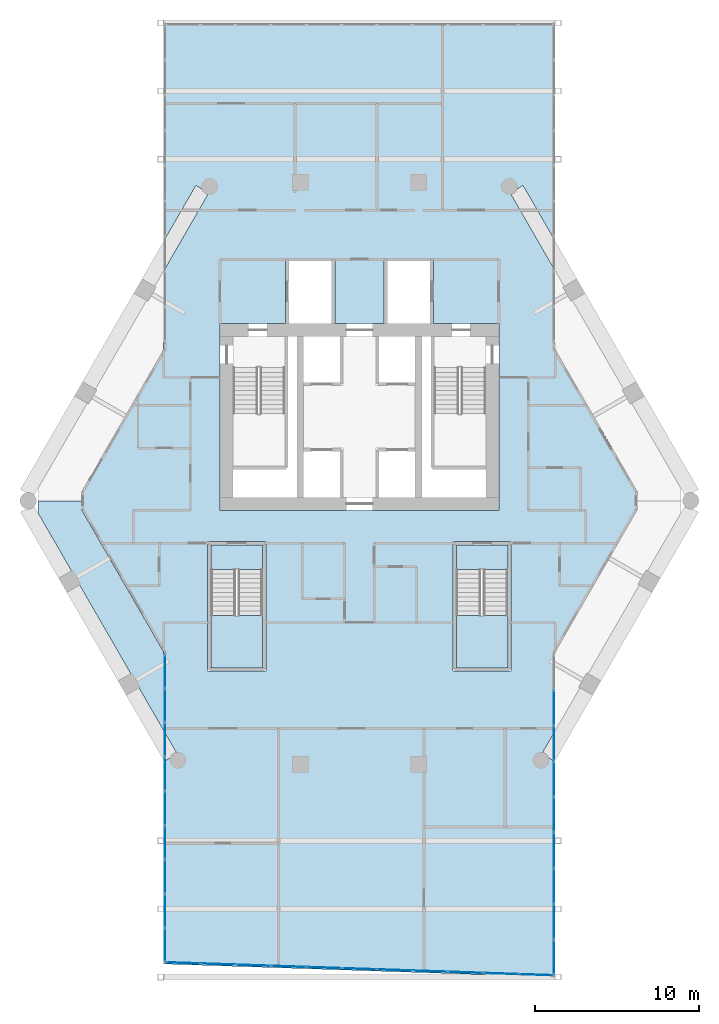
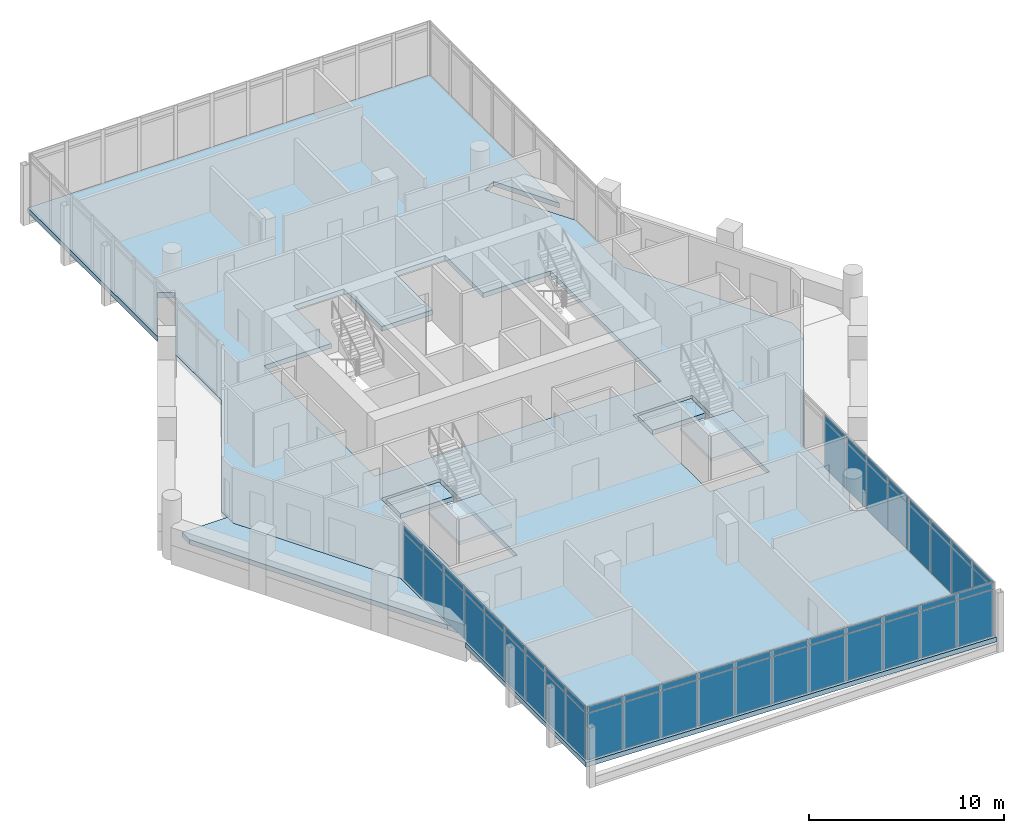
# One storey, part 22 of 29: 56 plates, 6 slabs, 5 elements without a shape of their own.
"""IFC4 building model written with IfcOpenShell, lengths in metres."""

from ifc_helpers import new_model, si_unit, direction, frame, origin, origin_2d, place, context, subcontext, project, spatial, polyline, rectangle, outline, extrude, material, layer, layer_set, type_object, element, aggregate, save


model = new_model("IFC4")

# Units and contexts
model_context = context("Model", 3, precision=1e-05, world=origin(), true_north=direction((0.0, 1.0)))
body_context = subcontext(model_context, "Body", "Model", "MODEL_VIEW")
ifc_project = project(units=[si_unit("LENGTHUNIT", "METRE"), si_unit("AREAUNIT", "SQUARE_METRE"), si_unit("VOLUMEUNIT", "CUBIC_METRE"), si_unit("PLANEANGLEUNIT", "RADIAN"), si_unit("MASSUNIT", "GRAM", prefix="KILO")], contexts=[model_context])

# Site, building, storey
site_placement = place(None, origin())
site = spatial("IfcSite", under=ifc_project, at=site_placement, CompositionType="ELEMENT")
building_placement = place(site_placement, origin())
building = spatial("IfcBuilding", under=site, at=building_placement, Name="Ostrander Bayou Hotel Tower", CompositionType="ELEMENT")
storey_placement = place(building_placement, frame((0.0, 0.0, 202.0)))
storey = spatial("IfcBuildingStorey", under=building, at=storey_placement, Name="L50", CompositionType="ELEMENT", Elevation=202.0)

# Curtain wall, plates
ifc_material_1 = material(Name="Aluminium and clear glass", Category="aluminium")
curtain_wall_type = type_object("IfcCurtainWallType", Name="CW-BAR glazed wall", PredefinedType="NOTDEFINED", material=ifc_material_1)
curtain_wall_1_placement = place(storey_placement, origin())
curtain_wall_1 = element("IfcCurtainWall", 1, at=curtain_wall_1_placement, inside=storey, type_object=curtain_wall_type, Name="CW-BAR L50:SB4S:E", PredefinedType="NOTDEFINED")
ifc_material_2 = material(Name="Clear laminated glass", Category="glass")
ifc_layer_1 = layer(ifc_material_2, 0.028076171875)
ifc_layer_set_1 = layer_set([ifc_layer_1], Name="CW-BR glazing panel 28 mm")
plate_type = type_object("IfcPlateType", Name="CW-BR glazing panel 28 mm", PredefinedType="CURTAIN_PANEL", material=ifc_layer_set_1)
plate_1_placement = place(storey_placement, frame((-11.857177734375, -11.521484375, 0.06005859375), z_axis=(0.0, 0.0, 1.0), x_axis=(0.0, -1.0, 0.0)))
plate_1 = element("IfcPlate", 2, at=plate_1_placement, type_object=plate_type, Name="CW-BAR panel 1.1", PredefinedType="CURTAIN_PANEL", context=body_context, shape_type="SweptSolid", body=[
    extrude(rectangle(XDim=1.997802734375, YDim=0.028076171875, at=origin_2d()), origin(), (0.0, 0.0, 1.0), 2.909912109375),
])
plate_2_placement = place(storey_placement, frame((-11.857177734375, -11.521484375, 3.02978515625), z_axis=(0.0, 0.0, 1.0), x_axis=(0.0, -1.0, 0.0)))
plate_2 = element("IfcPlate", 3, at=plate_2_placement, type_object=plate_type, Name="CW-BAR panel 1.2", PredefinedType="CURTAIN_PANEL", context=body_context, shape_type="SweptSolid", body=[
    extrude(rectangle(XDim=1.997802734375, YDim=0.028076171875, at=origin_2d()), origin(), (0.0, 0.0, 1.0), 0.360107421875),
])
plate_3_placement = place(storey_placement, frame((-11.857177734375, -13.59423828125, 0.06005859375), z_axis=(0.0, 0.0, 1.0), x_axis=(0.0, -1.0, 0.0)))
plate_3 = element("IfcPlate", 4, at=plate_3_placement, type_object=plate_type, Name="CW-BAR panel 2.1", PredefinedType="CURTAIN_PANEL", context=body_context, shape_type="SweptSolid", body=[
    extrude(rectangle(XDim=2.02783203125, YDim=0.028076171875, at=origin_2d()), origin(), (0.0, 0.0, 1.0), 2.909912109375),
])
plate_4_placement = place(storey_placement, frame((-11.857177734375, -13.59423828125, 3.02978515625), z_axis=(0.0, 0.0, 1.0), x_axis=(0.0, -1.0, 0.0)))
plate_4 = element("IfcPlate", 5, at=plate_4_placement, type_object=plate_type, Name="CW-BAR panel 2.2", PredefinedType="CURTAIN_PANEL", context=body_context, shape_type="SweptSolid", body=[
    extrude(rectangle(XDim=2.02783203125, YDim=0.028076171875, at=origin_2d()), origin(), (0.0, 0.0, 1.0), 0.360107421875),
])
plate_5_placement = place(storey_placement, frame((-11.857177734375, -15.68212890625, 0.06005859375), z_axis=(0.0, 0.0, 1.0), x_axis=(0.0, -1.0, 0.0)))
plate_5 = element("IfcPlate", 6, at=plate_5_placement, type_object=plate_type, Name="CW-BAR panel 3.1", PredefinedType="CURTAIN_PANEL", context=body_context, shape_type="SweptSolid", body=[
    extrude(rectangle(XDim=2.02783203125, YDim=0.028076171875, at=origin_2d()), origin(), (0.0, 0.0, 1.0), 2.909912109375),
])
plate_6_placement = place(storey_placement, frame((-11.857177734375, -15.68212890625, 3.02978515625), z_axis=(0.0, 0.0, 1.0), x_axis=(0.0, -1.0, 0.0)))
plate_6 = element("IfcPlate", 7, at=plate_6_placement, type_object=plate_type, Name="CW-BAR panel 3.2", PredefinedType="CURTAIN_PANEL", context=body_context, shape_type="SweptSolid", body=[
    extrude(rectangle(XDim=2.02783203125, YDim=0.028076171875, at=origin_2d()), origin(), (0.0, 0.0, 1.0), 0.360107421875),
])
plate_7_placement = place(storey_placement, frame((-11.857177734375, -17.769775390625, 0.06005859375), z_axis=(0.0, 0.0, 1.0), x_axis=(0.0, -1.0, 0.0)))
plate_7 = element("IfcPlate", 8, at=plate_7_placement, type_object=plate_type, Name="CW-BAR panel 4.1", PredefinedType="CURTAIN_PANEL", context=body_context, shape_type="SweptSolid", body=[
    extrude(rectangle(XDim=2.02783203125, YDim=0.028076171875, at=origin_2d()), origin(), (0.0, 0.0, 1.0), 2.909912109375),
])
plate_8_placement = place(storey_placement, frame((-11.857177734375, -17.769775390625, 3.02978515625), z_axis=(0.0, 0.0, 1.0), x_axis=(0.0, -1.0, 0.0)))
plate_8 = element("IfcPlate", 9, at=plate_8_placement, type_object=plate_type, Name="CW-BAR panel 4.2", PredefinedType="CURTAIN_PANEL", context=body_context, shape_type="SweptSolid", body=[
    extrude(rectangle(XDim=2.02783203125, YDim=0.028076171875, at=origin_2d()), origin(), (0.0, 0.0, 1.0), 0.360107421875),
])
plate_9_placement = place(storey_placement, frame((-11.857177734375, -19.857666015625, 0.06005859375), z_axis=(0.0, 0.0, 1.0), x_axis=(0.0, -1.0, 0.0)))
plate_9 = element("IfcPlate", 10, at=plate_9_placement, type_object=plate_type, Name="CW-BAR panel 5.1", PredefinedType="CURTAIN_PANEL", context=body_context, shape_type="SweptSolid", body=[
    extrude(rectangle(XDim=2.02783203125, YDim=0.028076171875, at=origin_2d()), origin(), (0.0, 0.0, 1.0), 2.909912109375),
])
plate_10_placement = place(storey_placement, frame((-11.857177734375, -19.857666015625, 3.02978515625), z_axis=(0.0, 0.0, 1.0), x_axis=(0.0, -1.0, 0.0)))
plate_10 = element("IfcPlate", 11, at=plate_10_placement, type_object=plate_type, Name="CW-BAR panel 5.2", PredefinedType="CURTAIN_PANEL", context=body_context, shape_type="SweptSolid", body=[
    extrude(rectangle(XDim=2.02783203125, YDim=0.028076171875, at=origin_2d()), origin(), (0.0, 0.0, 1.0), 0.360107421875),
])
plate_11_placement = place(storey_placement, frame((-11.857177734375, -21.9453125, 0.06005859375), z_axis=(0.0, 0.0, 1.0), x_axis=(0.0, -1.0, 0.0)))
plate_11 = element("IfcPlate", 12, at=plate_11_placement, type_object=plate_type, Name="CW-BAR panel 6.1", PredefinedType="CURTAIN_PANEL", context=body_context, shape_type="SweptSolid", body=[
    extrude(rectangle(XDim=2.02783203125, YDim=0.028076171875, at=origin_2d()), origin(), (0.0, 0.0, 1.0), 2.909912109375),
])
plate_12_placement = place(storey_placement, frame((-11.857177734375, -21.9453125, 3.02978515625), z_axis=(0.0, 0.0, 1.0), x_axis=(0.0, -1.0, 0.0)))
plate_12 = element("IfcPlate", 13, at=plate_12_placement, type_object=plate_type, Name="CW-BAR panel 6.2", PredefinedType="CURTAIN_PANEL", context=body_context, shape_type="SweptSolid", body=[
    extrude(rectangle(XDim=2.02783203125, YDim=0.028076171875, at=origin_2d()), origin(), (0.0, 0.0, 1.0), 0.360107421875),
])
plate_13_placement = place(storey_placement, frame((-11.857177734375, -24.033203125, 0.06005859375), z_axis=(0.0, 0.0, 1.0), x_axis=(0.0, -1.0, 0.0)))
plate_13 = element("IfcPlate", 14, at=plate_13_placement, type_object=plate_type, Name="CW-BAR panel 7.1", PredefinedType="CURTAIN_PANEL", context=body_context, shape_type="SweptSolid", body=[
    extrude(rectangle(XDim=2.02783203125, YDim=0.028076171875, at=origin_2d()), origin(), (0.0, 0.0, 1.0), 2.909912109375),
])
plate_14_placement = place(storey_placement, frame((-11.857177734375, -24.033203125, 3.02978515625), z_axis=(0.0, 0.0, 1.0), x_axis=(0.0, -1.0, 0.0)))
plate_14 = element("IfcPlate", 15, at=plate_14_placement, type_object=plate_type, Name="CW-BAR panel 7.2", PredefinedType="CURTAIN_PANEL", context=body_context, shape_type="SweptSolid", body=[
    extrude(rectangle(XDim=2.02783203125, YDim=0.028076171875, at=origin_2d()), origin(), (0.0, 0.0, 1.0), 0.360107421875),
])
plate_15_placement = place(storey_placement, frame((-11.857177734375, -26.120849609375, 0.06005859375), z_axis=(0.0, 0.0, 1.0), x_axis=(0.0, -1.0, 0.0)))
plate_15 = element("IfcPlate", 16, at=plate_15_placement, type_object=plate_type, Name="CW-BAR panel 8.1", PredefinedType="CURTAIN_PANEL", context=body_context, shape_type="SweptSolid", body=[
    extrude(rectangle(XDim=2.02783203125, YDim=0.028076171875, at=origin_2d()), origin(), (0.0, 0.0, 1.0), 2.909912109375),
])
plate_16_placement = place(storey_placement, frame((-11.857177734375, -26.120849609375, 3.02978515625), z_axis=(0.0, 0.0, 1.0), x_axis=(0.0, -1.0, 0.0)))
plate_16 = element("IfcPlate", 17, at=plate_16_placement, type_object=plate_type, Name="CW-BAR panel 8.2", PredefinedType="CURTAIN_PANEL", context=body_context, shape_type="SweptSolid", body=[
    extrude(rectangle(XDim=2.02783203125, YDim=0.028076171875, at=origin_2d()), origin(), (0.0, 0.0, 1.0), 0.360107421875),
])
plate_17_placement = place(storey_placement, frame((-11.857177734375, -28.193603515625, 0.06005859375), z_axis=(0.0, 0.0, 1.0), x_axis=(0.0, -1.0, 0.0)))
plate_17 = element("IfcPlate", 18, at=plate_17_placement, type_object=plate_type, Name="CW-BAR panel 9.1", PredefinedType="CURTAIN_PANEL", context=body_context, shape_type="SweptSolid", body=[
    extrude(rectangle(XDim=1.997802734375, YDim=0.028076171875, at=origin_2d()), origin(), (0.0, 0.0, 1.0), 2.909912109375),
])
plate_18_placement = place(storey_placement, frame((-11.857177734375, -28.193603515625, 3.02978515625), z_axis=(0.0, 0.0, 1.0), x_axis=(0.0, -1.0, 0.0)))
plate_18 = element("IfcPlate", 19, at=plate_18_placement, type_object=plate_type, Name="CW-BAR panel 9.2", PredefinedType="CURTAIN_PANEL", context=body_context, shape_type="SweptSolid", body=[
    extrude(rectangle(XDim=1.997802734375, YDim=0.028076171875, at=origin_2d()), origin(), (0.0, 0.0, 1.0), 0.360107421875),
])
aggregate(curtain_wall_1, [plate_1, plate_2, plate_3, plate_4, plate_5, plate_6, plate_7, plate_8, plate_9, plate_10, plate_11, plate_12, plate_13, plate_14, plate_15, plate_16, plate_17, plate_18])

curtain_wall_2_placement = place(storey_placement, origin())
curtain_wall_2 = element("IfcCurtainWall", 20, at=curtain_wall_2_placement, inside=storey, type_object=curtain_wall_type, Name="CW-BAR L50:SB4S:T", PredefinedType="NOTDEFINED")
plate_19_placement = place(storey_placement, frame((-10.76416015625, -29.2890625, 0.06005859375), z_axis=(0.0, 0.0, 1.0), x_axis=(0.999438546097, -0.03350511268, 0.0)))
plate_19 = element("IfcPlate", 21, at=plate_19_placement, type_object=plate_type, Name="CW-BAR panel 1.1", PredefinedType="CURTAIN_PANEL", context=body_context, shape_type="SweptSolid", body=[
    extrude(rectangle(XDim=2.067138671875, YDim=0.028076171875, at=origin_2d()), origin(), (0.0, 0.0, 1.0), 2.909912109375),
])
plate_20_placement = place(storey_placement, frame((-10.76416015625, -29.2890625, 3.02978515625), z_axis=(0.0, 0.0, 1.0), x_axis=(0.999438546097, -0.03350511268, 0.0)))
plate_20 = element("IfcPlate", 22, at=plate_20_placement, type_object=plate_type, Name="CW-BAR panel 1.2", PredefinedType="CURTAIN_PANEL", context=body_context, shape_type="SweptSolid", body=[
    extrude(rectangle(XDim=2.067138671875, YDim=0.028076171875, at=origin_2d()), origin(), (0.0, 0.0, 1.0), 0.360107421875),
])
plate_21_placement = place(storey_placement, frame((-8.62353515625, -29.36083984375, 0.06005859375), z_axis=(0.0, 0.0, 1.0), x_axis=(0.999438546097, -0.03350511268, 0.0)))
plate_21 = element("IfcPlate", 23, at=plate_21_placement, type_object=plate_type, Name="CW-BAR panel 2.1", PredefinedType="CURTAIN_PANEL", context=body_context, shape_type="SweptSolid", body=[
    extrude(rectangle(XDim=2.09716796875, YDim=0.028076171875, at=origin_2d()), origin(), (0.0, 0.0, 1.0), 2.909912109375),
])
plate_22_placement = place(storey_placement, frame((-8.62353515625, -29.36083984375, 3.02978515625), z_axis=(0.0, 0.0, 1.0), x_axis=(0.999438546097, -0.03350511268, 0.0)))
plate_22 = element("IfcPlate", 24, at=plate_22_placement, type_object=plate_type, Name="CW-BAR panel 2.2", PredefinedType="CURTAIN_PANEL", context=body_context, shape_type="SweptSolid", body=[
    extrude(rectangle(XDim=2.09716796875, YDim=0.028076171875, at=origin_2d()), origin(), (0.0, 0.0, 1.0), 0.360107421875),
])
plate_23_placement = place(storey_placement, frame((-6.467529296875, -29.43310546875, 0.06005859375), z_axis=(0.0, 0.0, 1.0), x_axis=(0.999438546097, -0.03350511268, 0.0)))
plate_23 = element("IfcPlate", 25, at=plate_23_placement, type_object=plate_type, Name="CW-BAR panel 3.1", PredefinedType="CURTAIN_PANEL", context=body_context, shape_type="SweptSolid", body=[
    extrude(rectangle(XDim=2.09716796875, YDim=0.028076171875, at=origin_2d()), origin(), (0.0, 0.0, 1.0), 2.909912109375),
])
plate_24_placement = place(storey_placement, frame((-6.467529296875, -29.43310546875, 3.02978515625), z_axis=(0.0, 0.0, 1.0), x_axis=(0.999438546097, -0.03350511268, 0.0)))
plate_24 = element("IfcPlate", 26, at=plate_24_placement, type_object=plate_type, Name="CW-BAR panel 3.2", PredefinedType="CURTAIN_PANEL", context=body_context, shape_type="SweptSolid", body=[
    extrude(rectangle(XDim=2.09716796875, YDim=0.028076171875, at=origin_2d()), origin(), (0.0, 0.0, 1.0), 0.360107421875),
])
plate_25_placement = place(storey_placement, frame((-4.311767578125, -29.50537109375, 0.06005859375), z_axis=(0.0, 0.0, 1.0), x_axis=(0.999438546097, -0.03350511268, 0.0)))
plate_25 = element("IfcPlate", 27, at=plate_25_placement, type_object=plate_type, Name="CW-BAR panel 4.1", PredefinedType="CURTAIN_PANEL", context=body_context, shape_type="SweptSolid", body=[
    extrude(rectangle(XDim=2.09716796875, YDim=0.028076171875, at=origin_2d()), origin(), (0.0, 0.0, 1.0), 2.909912109375),
])
plate_26_placement = place(storey_placement, frame((-4.311767578125, -29.50537109375, 3.02978515625), z_axis=(0.0, 0.0, 1.0), x_axis=(0.999438546097, -0.03350511268, 0.0)))
plate_26 = element("IfcPlate", 28, at=plate_26_placement, type_object=plate_type, Name="CW-BAR panel 4.2", PredefinedType="CURTAIN_PANEL", context=body_context, shape_type="SweptSolid", body=[
    extrude(rectangle(XDim=2.09716796875, YDim=0.028076171875, at=origin_2d()), origin(), (0.0, 0.0, 1.0), 0.360107421875),
])
plate_27_placement = place(storey_placement, frame((-2.15576171875, -29.57763671875, 0.06005859375), z_axis=(0.0, 0.0, 1.0), x_axis=(0.999438546097, -0.03350511268, 0.0)))
plate_27 = element("IfcPlate", 29, at=plate_27_placement, type_object=plate_type, Name="CW-BAR panel 5.1", PredefinedType="CURTAIN_PANEL", context=body_context, shape_type="SweptSolid", body=[
    extrude(rectangle(XDim=2.09716796875, YDim=0.028076171875, at=origin_2d()), origin(), (0.0, 0.0, 1.0), 2.909912109375),
])
plate_28_placement = place(storey_placement, frame((-2.15576171875, -29.57763671875, 3.02978515625), z_axis=(0.0, 0.0, 1.0), x_axis=(0.999438546097, -0.03350511268, 0.0)))
plate_28 = element("IfcPlate", 30, at=plate_28_placement, type_object=plate_type, Name="CW-BAR panel 5.2", PredefinedType="CURTAIN_PANEL", context=body_context, shape_type="SweptSolid", body=[
    extrude(rectangle(XDim=2.09716796875, YDim=0.028076171875, at=origin_2d()), origin(), (0.0, 0.0, 1.0), 0.360107421875),
])
plate_29_placement = place(storey_placement, frame((0.0, -29.64990234375, 0.06005859375), z_axis=(0.0, 0.0, 1.0), x_axis=(0.999438546097, -0.03350511268, 0.0)))
plate_29 = element("IfcPlate", 31, at=plate_29_placement, type_object=plate_type, Name="CW-BAR panel 6.1", PredefinedType="CURTAIN_PANEL", context=body_context, shape_type="SweptSolid", body=[
    extrude(rectangle(XDim=2.09716796875, YDim=0.028076171875, at=origin_2d()), origin(), (0.0, 0.0, 1.0), 2.909912109375),
])
plate_30_placement = place(storey_placement, frame((0.0, -29.64990234375, 3.02978515625), z_axis=(0.0, 0.0, 1.0), x_axis=(0.999438546097, -0.03350511268, 0.0)))
plate_30 = element("IfcPlate", 32, at=plate_30_placement, type_object=plate_type, Name="CW-BAR panel 6.2", PredefinedType="CURTAIN_PANEL", context=body_context, shape_type="SweptSolid", body=[
    extrude(rectangle(XDim=2.09716796875, YDim=0.028076171875, at=origin_2d()), origin(), (0.0, 0.0, 1.0), 0.360107421875),
])
plate_31_placement = place(storey_placement, frame((2.15576171875, -29.72216796875, 0.06005859375), z_axis=(0.0, 0.0, 1.0), x_axis=(0.999438546097, -0.03350511268, 0.0)))
plate_31 = element("IfcPlate", 33, at=plate_31_placement, type_object=plate_type, Name="CW-BAR panel 7.1", PredefinedType="CURTAIN_PANEL", context=body_context, shape_type="SweptSolid", body=[
    extrude(rectangle(XDim=2.09716796875, YDim=0.028076171875, at=origin_2d()), origin(), (0.0, 0.0, 1.0), 2.909912109375),
])
plate_32_placement = place(storey_placement, frame((2.15576171875, -29.72216796875, 3.02978515625), z_axis=(0.0, 0.0, 1.0), x_axis=(0.999438546097, -0.03350511268, 0.0)))
plate_32 = element("IfcPlate", 34, at=plate_32_placement, type_object=plate_type, Name="CW-BAR panel 7.2", PredefinedType="CURTAIN_PANEL", context=body_context, shape_type="SweptSolid", body=[
    extrude(rectangle(XDim=2.09716796875, YDim=0.028076171875, at=origin_2d()), origin(), (0.0, 0.0, 1.0), 0.360107421875),
])
plate_33_placement = place(storey_placement, frame((4.311767578125, -29.79443359375, 0.06005859375), z_axis=(0.0, 0.0, 1.0), x_axis=(0.999438546097, -0.03350511268, 0.0)))
plate_33 = element("IfcPlate", 35, at=plate_33_placement, type_object=plate_type, Name="CW-BAR panel 8.1", PredefinedType="CURTAIN_PANEL", context=body_context, shape_type="SweptSolid", body=[
    extrude(rectangle(XDim=2.09716796875, YDim=0.028076171875, at=origin_2d()), origin(), (0.0, 0.0, 1.0), 2.909912109375),
])
plate_34_placement = place(storey_placement, frame((4.311767578125, -29.79443359375, 3.02978515625), z_axis=(0.0, 0.0, 1.0), x_axis=(0.999438546097, -0.03350511268, 0.0)))
plate_34 = element("IfcPlate", 36, at=plate_34_placement, type_object=plate_type, Name="CW-BAR panel 8.2", PredefinedType="CURTAIN_PANEL", context=body_context, shape_type="SweptSolid", body=[
    extrude(rectangle(XDim=2.09716796875, YDim=0.028076171875, at=origin_2d()), origin(), (0.0, 0.0, 1.0), 0.360107421875),
])
plate_35_placement = place(storey_placement, frame((6.467529296875, -29.86669921875, 0.06005859375), z_axis=(0.0, 0.0, 1.0), x_axis=(0.999438546097, -0.03350511268, 0.0)))
plate_35 = element("IfcPlate", 37, at=plate_35_placement, type_object=plate_type, Name="CW-BAR panel 9.1", PredefinedType="CURTAIN_PANEL", context=body_context, shape_type="SweptSolid", body=[
    extrude(rectangle(XDim=2.09716796875, YDim=0.028076171875, at=origin_2d()), origin(), (0.0, 0.0, 1.0), 2.909912109375),
])
plate_36_placement = place(storey_placement, frame((6.467529296875, -29.86669921875, 3.02978515625), z_axis=(0.0, 0.0, 1.0), x_axis=(0.999438546097, -0.03350511268, 0.0)))
plate_36 = element("IfcPlate", 38, at=plate_36_placement, type_object=plate_type, Name="CW-BAR panel 9.2", PredefinedType="CURTAIN_PANEL", context=body_context, shape_type="SweptSolid", body=[
    extrude(rectangle(XDim=2.09716796875, YDim=0.028076171875, at=origin_2d()), origin(), (0.0, 0.0, 1.0), 0.360107421875),
])
plate_37_placement = place(storey_placement, frame((8.62353515625, -29.939208984375, 0.06005859375), z_axis=(0.0, 0.0, 1.0), x_axis=(0.999438546097, -0.03350511268, 0.0)))
plate_37 = element("IfcPlate", 39, at=plate_37_placement, type_object=plate_type, Name="CW-BAR panel 10.1", PredefinedType="CURTAIN_PANEL", context=body_context, shape_type="SweptSolid", body=[
    extrude(rectangle(XDim=2.09716796875, YDim=0.028076171875, at=origin_2d()), origin(), (0.0, 0.0, 1.0), 2.909912109375),
])
plate_38_placement = place(storey_placement, frame((8.62353515625, -29.939208984375, 3.02978515625), z_axis=(0.0, 0.0, 1.0), x_axis=(0.999438546097, -0.03350511268, 0.0)))
plate_38 = element("IfcPlate", 40, at=plate_38_placement, type_object=plate_type, Name="CW-BAR panel 10.2", PredefinedType="CURTAIN_PANEL", context=body_context, shape_type="SweptSolid", body=[
    extrude(rectangle(XDim=2.09716796875, YDim=0.028076171875, at=origin_2d()), origin(), (0.0, 0.0, 1.0), 0.360107421875),
])
plate_39_placement = place(storey_placement, frame((10.76416015625, -30.0107421875, 0.06005859375), z_axis=(0.0, 0.0, 1.0), x_axis=(0.999438546097, -0.03350511268, 0.0)))
plate_39 = element("IfcPlate", 41, at=plate_39_placement, type_object=plate_type, Name="CW-BAR panel 11.1", PredefinedType="CURTAIN_PANEL", context=body_context, shape_type="SweptSolid", body=[
    extrude(rectangle(XDim=2.067138671875, YDim=0.028076171875, at=origin_2d()), origin(), (0.0, 0.0, 1.0), 2.909912109375),
])
plate_40_placement = place(storey_placement, frame((10.76416015625, -30.0107421875, 3.02978515625), z_axis=(0.0, 0.0, 1.0), x_axis=(0.999438546097, -0.03350511268, 0.0)))
plate_40 = element("IfcPlate", 42, at=plate_40_placement, type_object=plate_type, Name="CW-BAR panel 11.2", PredefinedType="CURTAIN_PANEL", context=body_context, shape_type="SweptSolid", body=[
    extrude(rectangle(XDim=2.067138671875, YDim=0.028076171875, at=origin_2d()), origin(), (0.0, 0.0, 1.0), 0.360107421875),
])
aggregate(curtain_wall_2, [plate_19, plate_20, plate_21, plate_22, plate_23, plate_24, plate_25, plate_26, plate_27, plate_28, plate_29, plate_30, plate_31, plate_32, plate_33, plate_34, plate_35, plate_36, plate_37, plate_38, plate_39, plate_40])

curtain_wall_3_placement = place(storey_placement, origin())
curtain_wall_3 = element("IfcCurtainWall", 43, at=curtain_wall_3_placement, inside=storey, type_object=curtain_wall_type, Name="CW-BAR L50:SB4S:W", PredefinedType="NOTDEFINED")
plate_41_placement = place(storey_placement, frame((11.857177734375, -13.726806640625, 0.06005859375), z_axis=(0.0, 0.0, 1.0), x_axis=(0.0, -1.0, 0.0)))
plate_41 = element("IfcPlate", 44, at=plate_41_placement, type_object=plate_type, Name="CW-BAR panel 2.1", PredefinedType="CURTAIN_PANEL", context=body_context, shape_type="SweptSolid", body=[
    extrude(rectangle(XDim=2.1162109375, YDim=0.028076171875, at=origin_2d()), origin(), (0.0, 0.0, 1.0), 2.909912109375),
])
plate_42_placement = place(storey_placement, frame((11.857177734375, -13.726806640625, 3.02978515625), z_axis=(0.0, 0.0, 1.0), x_axis=(0.0, -1.0, 0.0)))
plate_42 = element("IfcPlate", 45, at=plate_42_placement, type_object=plate_type, Name="CW-BAR panel 2.2", PredefinedType="CURTAIN_PANEL", context=body_context, shape_type="SweptSolid", body=[
    extrude(rectangle(XDim=2.1162109375, YDim=0.028076171875, at=origin_2d()), origin(), (0.0, 0.0, 1.0), 0.360107421875),
])
plate_43_placement = place(storey_placement, frame((11.857177734375, -15.90283203125, 0.06005859375), z_axis=(0.0, 0.0, 1.0), x_axis=(0.0, -1.0, 0.0)))
plate_43 = element("IfcPlate", 46, at=plate_43_placement, type_object=plate_type, Name="CW-BAR panel 3.1", PredefinedType="CURTAIN_PANEL", context=body_context, shape_type="SweptSolid", body=[
    extrude(rectangle(XDim=2.1162109375, YDim=0.028076171875, at=origin_2d()), origin(), (0.0, 0.0, 1.0), 2.909912109375),
])
plate_44_placement = place(storey_placement, frame((11.857177734375, -15.90283203125, 3.02978515625), z_axis=(0.0, 0.0, 1.0), x_axis=(0.0, -1.0, 0.0)))
plate_44 = element("IfcPlate", 47, at=plate_44_placement, type_object=plate_type, Name="CW-BAR panel 3.2", PredefinedType="CURTAIN_PANEL", context=body_context, shape_type="SweptSolid", body=[
    extrude(rectangle(XDim=2.1162109375, YDim=0.028076171875, at=origin_2d()), origin(), (0.0, 0.0, 1.0), 0.360107421875),
])
plate_45_placement = place(storey_placement, frame((11.857177734375, -18.0791015625, 0.06005859375), z_axis=(0.0, 0.0, 1.0), x_axis=(0.0, -1.0, 0.0)))
plate_45 = element("IfcPlate", 48, at=plate_45_placement, type_object=plate_type, Name="CW-BAR panel 4.1", PredefinedType="CURTAIN_PANEL", context=body_context, shape_type="SweptSolid", body=[
    extrude(rectangle(XDim=2.1162109375, YDim=0.028076171875, at=origin_2d()), origin(), (0.0, 0.0, 1.0), 2.909912109375),
])
plate_46_placement = place(storey_placement, frame((11.857177734375, -18.0791015625, 3.02978515625), z_axis=(0.0, 0.0, 1.0), x_axis=(0.0, -1.0, 0.0)))
plate_46 = element("IfcPlate", 49, at=plate_46_placement, type_object=plate_type, Name="CW-BAR panel 4.2", PredefinedType="CURTAIN_PANEL", context=body_context, shape_type="SweptSolid", body=[
    extrude(rectangle(XDim=2.1162109375, YDim=0.028076171875, at=origin_2d()), origin(), (0.0, 0.0, 1.0), 0.360107421875),
])
plate_47_placement = place(storey_placement, frame((11.857177734375, -20.255126953125, 0.06005859375), z_axis=(0.0, 0.0, 1.0), x_axis=(0.0, -1.0, 0.0)))
plate_47 = element("IfcPlate", 50, at=plate_47_placement, type_object=plate_type, Name="CW-BAR panel 5.1", PredefinedType="CURTAIN_PANEL", context=body_context, shape_type="SweptSolid", body=[
    extrude(rectangle(XDim=2.1162109375, YDim=0.028076171875, at=origin_2d()), origin(), (0.0, 0.0, 1.0), 2.909912109375),
])
plate_48_placement = place(storey_placement, frame((11.857177734375, -20.255126953125, 3.02978515625), z_axis=(0.0, 0.0, 1.0), x_axis=(0.0, -1.0, 0.0)))
plate_48 = element("IfcPlate", 51, at=plate_48_placement, type_object=plate_type, Name="CW-BAR panel 5.2", PredefinedType="CURTAIN_PANEL", context=body_context, shape_type="SweptSolid", body=[
    extrude(rectangle(XDim=2.1162109375, YDim=0.028076171875, at=origin_2d()), origin(), (0.0, 0.0, 1.0), 0.360107421875),
])
plate_49_placement = place(storey_placement, frame((11.857177734375, -22.43115234375, 0.06005859375), z_axis=(0.0, 0.0, 1.0), x_axis=(0.0, -1.0, 0.0)))
plate_49 = element("IfcPlate", 52, at=plate_49_placement, type_object=plate_type, Name="CW-BAR panel 6.1", PredefinedType="CURTAIN_PANEL", context=body_context, shape_type="SweptSolid", body=[
    extrude(rectangle(XDim=2.1162109375, YDim=0.028076171875, at=origin_2d()), origin(), (0.0, 0.0, 1.0), 2.909912109375),
])
plate_50_placement = place(storey_placement, frame((11.857177734375, -22.43115234375, 3.02978515625), z_axis=(0.0, 0.0, 1.0), x_axis=(0.0, -1.0, 0.0)))
plate_50 = element("IfcPlate", 53, at=plate_50_placement, type_object=plate_type, Name="CW-BAR panel 6.2", PredefinedType="CURTAIN_PANEL", context=body_context, shape_type="SweptSolid", body=[
    extrude(rectangle(XDim=2.1162109375, YDim=0.028076171875, at=origin_2d()), origin(), (0.0, 0.0, 1.0), 0.360107421875),
])
plate_51_placement = place(storey_placement, frame((11.857177734375, -24.607177734375, 0.06005859375), z_axis=(0.0, 0.0, 1.0), x_axis=(0.0, -1.0, 0.0)))
plate_51 = element("IfcPlate", 54, at=plate_51_placement, type_object=plate_type, Name="CW-BAR panel 7.1", PredefinedType="CURTAIN_PANEL", context=body_context, shape_type="SweptSolid", body=[
    extrude(rectangle(XDim=2.1162109375, YDim=0.028076171875, at=origin_2d()), origin(), (0.0, 0.0, 1.0), 2.909912109375),
])
plate_52_placement = place(storey_placement, frame((11.857177734375, -24.607177734375, 3.02978515625), z_axis=(0.0, 0.0, 1.0), x_axis=(0.0, -1.0, 0.0)))
plate_52 = element("IfcPlate", 55, at=plate_52_placement, type_object=plate_type, Name="CW-BAR panel 7.2", PredefinedType="CURTAIN_PANEL", context=body_context, shape_type="SweptSolid", body=[
    extrude(rectangle(XDim=2.1162109375, YDim=0.028076171875, at=origin_2d()), origin(), (0.0, 0.0, 1.0), 0.360107421875),
])
plate_53_placement = place(storey_placement, frame((11.857177734375, -26.783447265625, 0.06005859375), z_axis=(0.0, 0.0, 1.0), x_axis=(0.0, -1.0, 0.0)))
plate_53 = element("IfcPlate", 56, at=plate_53_placement, type_object=plate_type, Name="CW-BAR panel 8.1", PredefinedType="CURTAIN_PANEL", context=body_context, shape_type="SweptSolid", body=[
    extrude(rectangle(XDim=2.1162109375, YDim=0.028076171875, at=origin_2d()), origin(), (0.0, 0.0, 1.0), 2.909912109375),
])
plate_54_placement = place(storey_placement, frame((11.857177734375, -26.783447265625, 3.02978515625), z_axis=(0.0, 0.0, 1.0), x_axis=(0.0, -1.0, 0.0)))
plate_54 = element("IfcPlate", 57, at=plate_54_placement, type_object=plate_type, Name="CW-BAR panel 8.2", PredefinedType="CURTAIN_PANEL", context=body_context, shape_type="SweptSolid", body=[
    extrude(rectangle(XDim=2.1162109375, YDim=0.028076171875, at=origin_2d()), origin(), (0.0, 0.0, 1.0), 0.360107421875),
])
plate_55_placement = place(storey_placement, frame((11.857177734375, -28.9443359375, 0.06005859375), z_axis=(0.0, 0.0, 1.0), x_axis=(0.0, -1.0, 0.0)))
plate_55 = element("IfcPlate", 58, at=plate_55_placement, type_object=plate_type, Name="CW-BAR panel 9.1", PredefinedType="CURTAIN_PANEL", context=body_context, shape_type="SweptSolid", body=[
    extrude(rectangle(XDim=2.086181640625, YDim=0.028076171875, at=origin_2d()), origin(), (0.0, 0.0, 1.0), 2.909912109375),
])
plate_56_placement = place(storey_placement, frame((11.857177734375, -28.9443359375, 3.02978515625), z_axis=(0.0, 0.0, 1.0), x_axis=(0.0, -1.0, 0.0)))
plate_56 = element("IfcPlate", 59, at=plate_56_placement, type_object=plate_type, Name="CW-BAR panel 9.2", PredefinedType="CURTAIN_PANEL", context=body_context, shape_type="SweptSolid", body=[
    extrude(rectangle(XDim=2.086181640625, YDim=0.028076171875, at=origin_2d()), origin(), (0.0, 0.0, 1.0), 0.360107421875),
])
aggregate(curtain_wall_3, [plate_41, plate_42, plate_43, plate_44, plate_45, plate_46, plate_47, plate_48, plate_49, plate_50, plate_51, plate_52, plate_53, plate_54, plate_55, plate_56])

# Slabs
ifc_material_3 = material(Name="Concrete f'c 40 MPa", Category="concrete")
ifc_layer_2 = layer(ifc_material_3, 0.300048828125)
ifc_layer_set_2 = layer_set([ifc_layer_2], Name="SL1 floor slab 300 mm f'c 40 MPa")
slab_type_1 = type_object("IfcSlabType", Name="SL1 floor slab 300 mm f'c 40 MPa", PredefinedType="FLOOR", material=ifc_layer_set_2)
slab_1_placement = place(storey_placement, frame((0.0, 0.0, -0.300048828125)))
element("IfcSlab", 60, at=slab_1_placement, inside=storey, type_object=slab_type_1, Name="SL1 L50 1", PredefinedType="FLOOR", context=body_context, shape_type="SweptSolid", body=[
    extrude(outline(polyline([(-11.897705078125, -16.992431640625), (-11.118408203125, -16.54248046875), (-11.93212890625, -15.1328125), (-11.93212890625, -10.332763671875), (-16.908935546875, -1.712890625), (-16.908935546875, -0.5126953125), (-11.93212890625, 8.107177734375), (-11.93212890625, 12.9072265625), (-9.19091796875, 17.6552734375), (-9.97021484375, 18.105224609375), (-11.93212890625, 14.707275390625), (-11.93212890625, 28.01611328125), (11.93212890625, 28.01611328125), (11.93212890625, 14.707275390625), (9.97021484375, 18.105224609375), (9.19091796875, 17.6552734375), (11.93212890625, 12.9072265625), (11.93212890625, 8.107177734375), (16.908935546875, -0.5126953125), (16.908935546875, -1.712890625), (11.93212890625, -10.332763671875), (11.93212890625, -15.1328125), (11.118408203125, -16.54248046875), (11.897705078125, -16.992431640625), (11.93212890625, -16.932861328125), (11.93212890625, -30.14990234375), (-11.93212890625, -29.35009765625), (-11.93212890625, -16.932861328125), (-11.897705078125, -16.992431640625)]), holes=[polyline([(9.25, -3.60009765625), (5.699951171875, -3.60009765625), (5.699951171875, -11.5), (9.25, -11.5), (9.25, -3.60009765625)]), polyline([(-8.5, -1.699951171875), (8.5, -1.699951171875), (8.5, 9.699951171875), (4.5, 9.699951171875), (4.5, 13.60009765625), (1.5, 13.60009765625), (1.5, 9.699951171875), (-1.5, 9.699951171875), (-1.5, 13.60009765625), (-4.5, 13.60009765625), (-4.5, 9.699951171875), (-8.5, 9.699951171875), (-8.5, -1.699951171875)]), polyline([(-5.699951171875, -3.60009765625), (-9.25, -3.60009765625), (-9.25, -11.5), (-5.699951171875, -11.5), (-5.699951171875, -3.60009765625)])]), origin(), (0.0, 0.0, 1.0), 0.300048828125),
])
slab_2_placement = place(storey_placement, frame((0.0, 0.0, -0.300048828125)))
element("IfcSlab", 61, at=slab_2_placement, inside=storey, type_object=slab_type_1, Name="cslab:L50:004", PredefinedType="FLOOR", context=body_context, shape_type="SweptSolid", body=[
    extrude(outline(polyline([(9.050048828125, -5.300048828125), (9.050048828125, -3.800048828125), (5.89990234375, -3.800048828125), (5.89990234375, -5.300048828125), (9.050048828125, -5.300048828125)])), origin(), (0.0, 0.0, 1.0), 0.300048828125),
])
slab_3_placement = place(storey_placement, frame((0.0, 0.0, -0.300048828125)))
element("IfcSlab", 62, at=slab_3_placement, inside=storey, type_object=slab_type_1, Name="cslab:L50:005", PredefinedType="FLOOR", context=body_context, shape_type="SweptSolid", body=[
    extrude(outline(polyline([(-5.89990234375, -5.300048828125), (-5.89990234375, -3.800048828125), (-9.050048828125, -3.800048828125), (-9.050048828125, -5.300048828125), (-5.89990234375, -5.300048828125)])), origin(), (0.0, 0.0, 1.0), 0.300048828125),
])
ifc_material_4 = material(Name="Concrete f'c 40 MPa", Category="concrete")
ifc_layer_3 = layer(ifc_material_4, 0.300048828125)
ifc_layer_set_3 = layer_set([ifc_layer_3], Name="SL4 loggia slab 300 mm f'c 40 MPa")
slab_type_2 = type_object("IfcSlabType", Name="SL4 loggia slab 300 mm f'c 40 MPa", PredefinedType="FLOOR", material=ifc_layer_set_3)
slab_4_placement = place(storey_placement, frame((0.0, 0.0, -0.300048828125)))
element("IfcSlab", 63, at=slab_4_placement, inside=storey, type_object=slab_type_2, Name="SL4 LOGGIA L50 SW 1", PredefinedType="FLOOR", context=body_context, shape_type="SweptSolid", body=[
    extrude(outline(polyline([(-11.93212890625, -11.873046875), (-11.93212890625, -15.1328125), (-13.457763671875, -12.490478515625), (-13.927734375, -11.67626953125), (-17.075927734375, -6.2236328125), (-17.5458984375, -5.40966796875), (-19.593505859375, -1.86279296875), (-19.593505859375, -1.11279296875), (-16.908935546875, -1.11279296875), (-16.908935546875, -1.712890625), (-11.93212890625, -10.332763671875), (-11.93212890625, -11.873046875)])), origin(), (0.0, 0.0, 1.0), 0.300048828125),
])

# Stair, slab
ifc_material_5 = material(Name="Concrete f'c 45 MPa", Category="concrete")
stair_type = type_object("IfcStairType", Name="ST1 exit stair 1500 mm f'c 45 MPa", PredefinedType="HALF_TURN_STAIR", material=ifc_material_5)
stair_1_placement = place(storey_placement, origin())
stair_1 = element("IfcStair", 64, at=stair_1_placement, inside=storey, type_object=stair_type, Name="L50 exit stair C", PredefinedType="HALF_TURN_STAIR")
ifc_material_6 = material(Name="Concrete f'c 45 MPa", Category="concrete")
ifc_layer_4 = layer(ifc_material_6, 0.199951171875)
ifc_layer_set_4 = layer_set([ifc_layer_4], Name="SL8 stair landing 200 mm f'c 45 MPa")
slab_type_3 = type_object("IfcSlabType", Name="SL8 stair landing 200 mm f'c 45 MPa", PredefinedType="LANDING", material=ifc_layer_set_4)
slab_5_placement = place(storey_placement, frame((0.0, 0.0, 1.675048828125)))
slab_5 = element("IfcSlab", 65, at=slab_5_placement, type_object=slab_type_3, Name="STC landing 1", PredefinedType="LANDING", context=body_context, shape_type="SweptSolid", body=[
    extrude(outline(polyline([(5.89990234375, -8.10009765625), (5.89990234375, -11.300048828125), (9.050048828125, -11.300048828125), (9.050048828125, -8.10009765625), (5.89990234375, -8.10009765625)])), origin(), (0.0, 0.0, 1.0), 0.199951171875),
])
aggregate(stair_1, [slab_5])

stair_2_placement = place(storey_placement, origin())
stair_2 = element("IfcStair", 66, at=stair_2_placement, inside=storey, type_object=stair_type, Name="L50 exit stair D", PredefinedType="HALF_TURN_STAIR")
slab_6_placement = place(storey_placement, frame((0.0, 0.0, 1.675048828125)))
slab_6 = element("IfcSlab", 67, at=slab_6_placement, type_object=slab_type_3, Name="STD landing 1", PredefinedType="LANDING", context=body_context, shape_type="SweptSolid", body=[
    extrude(outline(polyline([(-9.050048828125, -8.10009765625), (-9.050048828125, -11.300048828125), (-5.89990234375, -11.300048828125), (-5.89990234375, -8.10009765625), (-9.050048828125, -8.10009765625)])), origin(), (0.0, 0.0, 1.0), 0.199951171875),
])
aggregate(stair_2, [slab_6])

save(model, "model.ifc")
